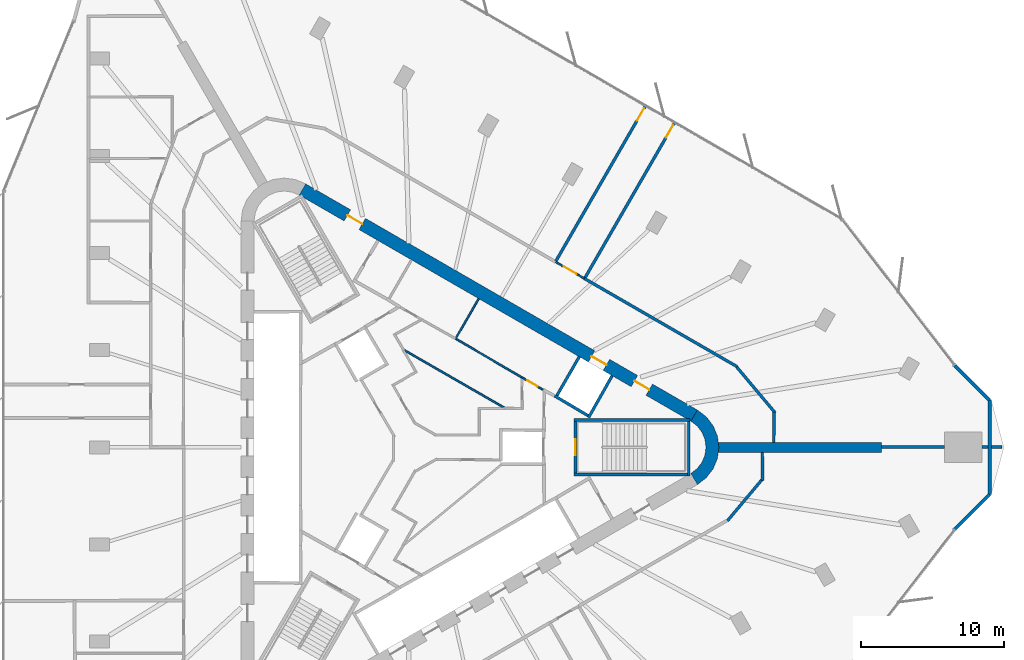
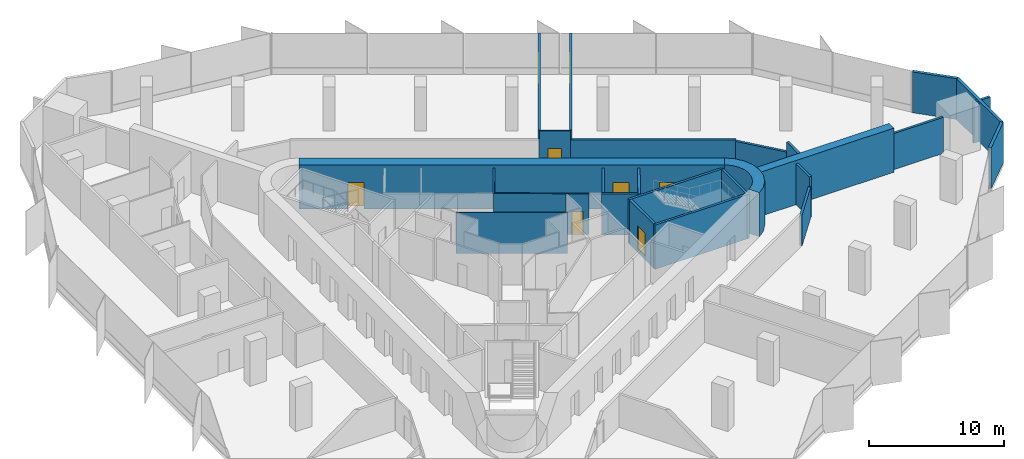
# One storey, part 12 of 14: 28 walls, 8 doors, 8 openings.
"""IFC4 building model written with IfcOpenShell, lengths in metres."""

from ifc_helpers import new_model, si_unit, direction, frame, frame_2d, origin, place, context, subcontext, project, spatial, polyline, rectangle, outline, extrude, material, layer, layer_set, type_object, element, fill, save


model = new_model("IFC4")

# Units and contexts
model_context = context("Model", 3, precision=1e-05, world=origin(), true_north=direction((0.0, 1.0)))
body_context = subcontext(model_context, "Body", "Model", "MODEL_VIEW")
ifc_project = project(units=[si_unit("LENGTHUNIT", "METRE"), si_unit("AREAUNIT", "SQUARE_METRE"), si_unit("VOLUMEUNIT", "CUBIC_METRE"), si_unit("PLANEANGLEUNIT", "RADIAN"), si_unit("MASSUNIT", "GRAM", prefix="KILO")], contexts=[model_context])

# Site, building, storey
site_placement = place(None, origin())
site = spatial("IfcSite", under=ifc_project, at=site_placement, CompositionType="ELEMENT")
building_placement = place(site_placement, origin())
building = spatial("IfcBuilding", under=site, at=building_placement, Name="Tanit Gate Tower", CompositionType="ELEMENT")
storey_placement = place(building_placement, frame((0.0, 0.0, 237.199951171875)))
storey = spatial("IfcBuildingStorey", under=building, at=storey_placement, Name="L53", CompositionType="ELEMENT", Elevation=237.199951171875)

# Wall
ifc_material_1 = material(Name="Concrete C50/60", Category="concrete")
ifc_layer_1 = layer(ifc_material_1, 0.699951171875)
ifc_layer_set_1 = layer_set([ifc_layer_1], Name="BUTTRESS FIN 700 C50/60")
wall_type_1 = type_object("IfcWallType", Name="BUTTRESS FIN 700 C50/60", PredefinedType="SHEAR", material=ifc_layer_set_1)
wall_1_placement = place(storey_placement, frame((21.14990234375, 0.0, 0.0), z_axis=(0.0, 0.0, 1.0), x_axis=(1.0, 0.0, 0.0)))
element("IfcWall", 1, at=wall_1_placement, inside=storey, type_object=wall_type_1, Name="BUTTRESS FIN", PredefinedType="SHEAR", context=body_context, shape_type="SweptSolid", body=[
    extrude(rectangle(XDim=11.3681640625, YDim=0.699951171875, at=frame_2d((5.68408203125, 0.0))), origin(), (0.0, 0.0, 1.0), 4.0),
])

# Wall, openings, doors
ifc_material_2 = material(Name="Concrete C50/60", Category="concrete")
ifc_layer_2 = layer(ifc_material_2, 0.89990234375)
ifc_layer_set_2 = layer_set([ifc_layer_2], Name="CORE WALL 900 C50/60")
wall_type_2 = type_object("IfcWallType", Name="CORE WALL 900 C50/60", PredefinedType="SHEAR", material=ifc_layer_set_2)
wall_2_placement = place(storey_placement, frame((19.47509765625, 2.20849609375, 0.0), z_axis=(0.0, 0.0, 1.0), x_axis=(-0.866028369851, 0.499994862586, 0.0)))
wall_2 = element("IfcWall", 2, at=wall_2_placement, inside=storey, type_object=wall_type_2, Name="CORE WALL", PredefinedType="SHEAR", context=body_context, shape_type="SweptSolid", body=[
    extrude(rectangle(XDim=31.523193359375, YDim=0.89990234375, at=frame_2d((15.76171875, 0.0))), origin(), (0.0, 0.0, 1.0), 4.0),
])
opening_1_placement = place(wall_2_placement, frame((7.0615234375, 0.0, 0.0)))
opening_1 = element("IfcOpeningElement", 3, at=opening_1_placement, cuts=wall_2, Name="Opening LDML8-S14", PredefinedType="OPENING", context=body_context, shape_type="SweptSolid", body=[
    extrude(rectangle(XDim=1.199951171875, YDim=2.39990234375, at=frame_2d((0.60009765625, 1.199951171875))), frame((0.0, 0.4599609375, 0.0), z_axis=(0.0, -1.0, 0.0), x_axis=(1.0, 0.0, 0.0)), (0.0, 0.0, 1.0), 0.919921875),
])
opening_2_placement = place(wall_2_placement, frame((3.611572265625, 0.0, 0.0)))
opening_2 = element("IfcOpeningElement", 4, at=opening_2_placement, cuts=wall_2, Name="Opening F12-S14-FL1", PredefinedType="OPENING", context=body_context, shape_type="SweptSolid", body=[
    extrude(rectangle(XDim=1.199951171875, YDim=2.39990234375, at=frame_2d((0.60009765625, 1.199951171875))), frame((0.0, 0.4599609375, 0.0), z_axis=(0.0, -1.0, 0.0), x_axis=(1.0, 0.0, 0.0)), (0.0, 0.0, 1.0), 0.919921875),
])
opening_3_placement = place(wall_2_placement, frame((26.711669921875, 0.0, 0.0)))
opening_3 = element("IfcOpeningElement", 5, at=opening_3_placement, cuts=wall_2, Name="Opening F12-S14-S2", PredefinedType="OPENING", context=body_context, shape_type="SweptSolid", body=[
    extrude(rectangle(XDim=1.199951171875, YDim=2.39990234375, at=frame_2d((0.60009765625, 1.199951171875))), frame((0.0, 0.4599609375, 0.0), z_axis=(0.0, -1.0, 0.0), x_axis=(1.0, 0.0, 0.0)), (0.0, 0.0, 1.0), 0.919921875),
])
ifc_material_3 = material(Name="Fire-rated steel door leaf", Category="steel")
door_type_1 = type_object("IfcDoorType", Name="INT-DOOR-FIRE-LOBBY-1200", OperationType="NOTDEFINED", PredefinedType="USERDEFINED", material=ifc_material_3)
door_1_placement = place(opening_2_placement, origin())
door_1 = element("IfcDoor", 6, at=door_1_placement, inside=storey, type_object=door_type_1, Name="Door F12-S14-FL1", ObjectType="FIRE DOOR", OperationType="SINGLE_SWING_RIGHT", OverallHeight=2.39990234375, OverallWidth=1.199951171875, PredefinedType="USERDEFINED", context=body_context, shape_type="SweptSolid", body=[
    extrude(rectangle(XDim=1.199951171875, YDim=2.39990234375, at=frame_2d((0.60009765625, 1.199951171875))), frame((0.0, 0.02490234375, 0.0), z_axis=(0.0, -1.0, 0.0), x_axis=(1.0, 0.0, 0.0)), (0.0, 0.0, 1.0), 0.050048828125),
])
fill(opening_2, door_1)
door_2_placement = place(opening_3_placement, origin())
door_2 = element("IfcDoor", 7, at=door_2_placement, inside=storey, type_object=door_type_1, Name="Door F12-S14-S2", ObjectType="FIRE DOOR", OperationType="SINGLE_SWING_LEFT", OverallHeight=2.39990234375, OverallWidth=1.199951171875, PredefinedType="USERDEFINED", context=body_context, shape_type="SweptSolid", body=[
    extrude(rectangle(XDim=1.199951171875, YDim=2.39990234375, at=frame_2d((0.60009765625, 1.199951171875))), frame((0.0, 0.02490234375, 0.0), z_axis=(0.0, -1.0, 0.0), x_axis=(1.0, 0.0, 0.0)), (0.0, 0.0, 1.0), 0.050048828125),
])
fill(opening_3, door_2)
ifc_material_4 = material(Name="Stainless steel sliding door leaf", Category="steel")
door_type_2 = type_object("IfcDoorType", Name="INT-DOOR-LANDING-1200", OperationType="NOTDEFINED", PredefinedType="USERDEFINED", material=ifc_material_4)
door_3_placement = place(opening_1_placement, origin())
door_3 = element("IfcDoor", 8, at=door_3_placement, inside=storey, type_object=door_type_2, Name="Door LDML8-S14", ObjectType="LANDING DOOR", OperationType="SLIDING_TO_LEFT", OverallHeight=2.39990234375, OverallWidth=1.199951171875, PredefinedType="USERDEFINED", context=body_context, shape_type="SweptSolid", body=[
    extrude(rectangle(XDim=1.199951171875, YDim=2.39990234375, at=frame_2d((0.60009765625, 1.199951171875))), frame((0.0, 0.02490234375, 0.0), z_axis=(0.0, -1.0, 0.0), x_axis=(1.0, 0.0, 0.0)), (0.0, 0.0, 1.0), 0.050048828125),
])
fill(opening_1, door_3)

# Walls
wall_3_placement = place(storey_placement, origin())
element("IfcWall", 9, at=wall_3_placement, inside=storey, type_object=wall_type_2, Name="CORE WALL CORNER", PredefinedType="SHEAR", context=body_context, shape_type="SweptSolid", body=[
    extrude(outline(polyline([(19.699951171875, -2.59814453125), (20.3212890625, -2.121337890625), (20.798095703125, -1.5), (21.097900390625, -0.776611328125), (21.199951171875, 0.0), (21.097900390625, 0.776611328125), (20.798095703125, 1.5), (20.3212890625, 2.121337890625), (19.699951171875, 2.59814453125), (19.25, 1.818603515625), (19.684814453125, 1.48486328125), (20.018798828125, 1.050048828125), (20.228515625, 0.54345703125), (20.300048828125, 0.0), (20.228515625, -0.54345703125), (20.018798828125, -1.050048828125), (19.684814453125, -1.48486328125), (19.25, -1.818603515625), (19.699951171875, -2.59814453125)])), origin(), (0.0, 0.0, 1.0), 4.0),
])
ifc_material_5 = material(Name="Concrete C30/37 with bronze anodised aluminium cladding", Category="concrete")
ifc_layer_3 = layer(ifc_material_5, 0.239990234375)
ifc_layer_set_3 = layer_set([ifc_layer_3], Name="Facade wall bronze clad 240")
wall_type_3 = type_object("IfcWallType", Name="Facade wall bronze clad 240", PredefinedType="SOLIDWALL", material=ifc_layer_set_3)
wall_4_placement = place(storey_placement, frame((37.635009765625, -5.713134765625, 0.0), z_axis=(0.0, 0.0, 1.0), x_axis=(0.707106781187, 0.707106781187, 0.0)))
element("IfcWall", 10, at=wall_4_placement, inside=storey, type_object=wall_type_3, Name="Bronze-clad facade wall L53 E.arc1", PredefinedType="SOLIDWALL", context=body_context, shape_type="SweptSolid", body=[
    extrude(rectangle(XDim=3.437744140625, YDim=0.239990234375, at=frame_2d((1.71875, 0.0))), origin(), (0.0, 0.0, 1.0), 3.699951171875),
])
wall_5_placement = place(storey_placement, frame((40.06591796875, -3.2822265625, 0.0), z_axis=(0.0, 0.0, 1.0), x_axis=(0.0, 1.0, 0.0)))
element("IfcWall", 11, at=wall_5_placement, inside=storey, type_object=wall_type_3, Name="Bronze-clad facade wall L53 E.arc2", PredefinedType="SOLIDWALL", context=body_context, shape_type="SweptSolid", body=[
    extrude(rectangle(XDim=6.564453125, YDim=0.239990234375, at=frame_2d((3.2822265625, 0.0))), origin(), (0.0, 0.0, 1.0), 3.699951171875),
])
wall_6_placement = place(storey_placement, frame((40.06591796875, 3.2822265625, 0.0), z_axis=(0.0, 0.0, 1.0), x_axis=(-0.707106781187, 0.707106781187, 0.0)))
element("IfcWall", 12, at=wall_6_placement, inside=storey, type_object=wall_type_3, Name="Bronze-clad facade wall L53 E.arc3", PredefinedType="SOLIDWALL", context=body_context, shape_type="SweptSolid", body=[
    extrude(rectangle(XDim=3.437744140625, YDim=0.239990234375, at=frame_2d((1.71875, 0.0))), origin(), (0.0, 0.0, 1.0), 3.699951171875),
])
ifc_material_6 = material(Name="Fire-rated gypsum board partition")
ifc_layer_4 = layer(ifc_material_6, 0.199951171875)
ifc_layer_set_4 = layer_set([ifc_layer_4], Name="INT-WALL-COMPARTMENT")
wall_type_4 = type_object("IfcWallType", Name="INT-WALL-COMPARTMENT", PredefinedType="PARTITIONING", material=ifc_layer_set_4)
wall_7_placement = place(storey_placement, frame((22.466064453125, 5.619873046875, 0.0), z_axis=(0.0, 0.0, 1.0), x_axis=(-0.866024234898, 0.500002024564, 0.0)))
element("IfcWall", 13, at=wall_7_placement, inside=storey, type_object=wall_type_4, Name="Wall Compartment W112", PredefinedType="PARTITIONING", context=body_context, shape_type="SweptSolid", body=[
    extrude(rectangle(XDim=12.29638671875, YDim=0.199951171875, at=frame_2d((6.148193359375, 0.0))), origin(), (0.0, 0.0, 1.0), 2.880126953125),
])
wall_8_placement = place(storey_placement, frame((25.12109375, 2.40283203125, 0.0), z_axis=(0.0, 0.0, 1.0), x_axis=(-0.642809831665, 0.766025796116, 0.0)))
element("IfcWall", 14, at=wall_8_placement, inside=storey, type_object=wall_type_4, Name="Wall Compartment W113", PredefinedType="PARTITIONING", context=body_context, shape_type="SweptSolid", body=[
    extrude(rectangle(XDim=4.164794921875, YDim=0.199951171875, at=frame_2d((2.08251953125, 0.0))), origin(), (0.0, 0.0, 1.0), 2.780029296875),
])
wall_9_placement = place(storey_placement, frame((25.0205078125, 0.35009765625, 0.0), z_axis=(0.0, 0.0, 1.0), x_axis=(0.012014998271, 0.999927817303, 0.0)))
element("IfcWall", 15, at=wall_9_placement, inside=storey, type_object=wall_type_4, Name="Wall Compartment W114", PredefinedType="PARTITIONING", context=body_context, shape_type="SweptSolid", body=[
    extrude(rectangle(XDim=2.093017578125, YDim=0.199951171875, at=frame_2d((1.04638671875, 0.0))), origin(), (0.0, 0.0, 1.0), 3.699951171875),
])
wall_10_placement = place(storey_placement, frame((24.247802734375, -2.316650390625, 0.0), z_axis=(0.0, 0.0, 1.0), x_axis=(-0.013654841032, 0.999906768312, 0.0)))
element("IfcWall", 16, at=wall_10_placement, inside=storey, type_object=wall_type_4, Name="Wall Compartment W116", PredefinedType="PARTITIONING", context=body_context, shape_type="SweptSolid", body=[
    extrude(rectangle(XDim=1.966796875, YDim=0.199951171875, at=frame_2d((0.9833984375, 0.0))), origin(), (0.0, 0.0, 1.0), 3.699951171875),
])
wall_11_placement = place(storey_placement, frame((21.79296875, -5.124267578125, 0.0), z_axis=(0.0, 0.0, 1.0), x_axis=(0.642787733653, 0.766044339098, 0.0)))
element("IfcWall", 17, at=wall_11_placement, inside=storey, type_object=wall_type_4, Name="Wall Compartment W117", PredefinedType="PARTITIONING", context=body_context, shape_type="SweptSolid", body=[
    extrude(rectangle(XDim=3.767333984375, YDim=0.199951171875, at=frame_2d((1.8837890625, 0.0))), origin(), (0.0, 0.0, 1.0), 2.780029296875),
])

# Wall, opening, door
wall_12_placement = place(storey_placement, frame((16.085693359375, 23.80126953125, 0.0), z_axis=(0.0, 0.0, 1.0), x_axis=(-0.499993063803, -0.866029408363, 0.0)))
wall_12 = element("IfcWall", 18, at=wall_12_placement, inside=storey, type_object=wall_type_4, Name="Wall Compartment W145", PredefinedType="PARTITIONING", context=body_context, shape_type="SweptSolid", body=[
    extrude(rectangle(XDim=12.495361328125, YDim=0.199951171875, at=frame_2d((6.24755859375, 0.0))), origin(), (0.0, 0.0, 1.0), 3.699951171875),
])
opening_4_placement = place(wall_12_placement, frame((0.199951171875, 0.0, 0.0)))
opening_4 = element("IfcOpeningElement", 19, at=opening_4_placement, cuts=wall_12, Name="Opening F10-S14-34", PredefinedType="OPENING", context=body_context, shape_type="SweptSolid", body=[
    extrude(rectangle(XDim=1.0, YDim=2.10009765625, at=frame_2d((0.5, 1.050048828125))), frame((0.0, 0.10986328125, 0.0), z_axis=(0.0, -1.0, 0.0), x_axis=(1.0, 0.0, 0.0)), (0.0, 0.0, 1.0), 0.219970703125),
])
ifc_material_7 = material(Name="Fire-rated steel door leaf", Category="steel")
door_type_3 = type_object("IfcDoorType", Name="INT-DOOR-FIRE-1000", OperationType="NOTDEFINED", PredefinedType="USERDEFINED", material=ifc_material_7)
door_4_placement = place(opening_4_placement, origin())
door_4 = element("IfcDoor", 20, at=door_4_placement, inside=storey, type_object=door_type_3, Name="Door F10-S14-34", ObjectType="FIRE DOOR", OperationType="SINGLE_SWING_LEFT", OverallHeight=2.10009765625, OverallWidth=1.0, PredefinedType="USERDEFINED", context=body_context, shape_type="SweptSolid", body=[
    extrude(rectangle(XDim=1.0, YDim=2.10009765625, at=frame_2d((0.5, 1.050048828125))), frame((0.0, 0.02490234375, 0.0), z_axis=(0.0, -1.0, 0.0), x_axis=(1.0, 0.0, 0.0)), (0.0, 0.0, 1.0), 0.050048828125),
])
fill(opening_4, door_4)

wall_13_placement = place(storey_placement, frame((11.864501953125, 11.81005859375, 0.0), z_axis=(0.0, 0.0, 1.0), x_axis=(0.500007717682, 0.866020947933, 0.0)))
wall_13 = element("IfcWall", 21, at=wall_13_placement, inside=storey, type_object=wall_type_4, Name="Wall Compartment W146", PredefinedType="PARTITIONING", context=body_context, shape_type="SweptSolid", body=[
    extrude(rectangle(XDim=12.495361328125, YDim=0.199951171875, at=frame_2d((6.24755859375, 0.0))), origin(), (0.0, 0.0, 1.0), 3.699951171875),
])
opening_5_placement = place(wall_13_placement, frame((11.29541015625, 0.0, 0.0)))
opening_5 = element("IfcOpeningElement", 22, at=opening_5_placement, cuts=wall_13, Name="Opening F10-S14-35", PredefinedType="OPENING", context=body_context, shape_type="SweptSolid", body=[
    extrude(rectangle(XDim=1.0, YDim=2.10009765625, at=frame_2d((0.5, 1.050048828125))), frame((0.0, 0.10986328125, 0.0), z_axis=(0.0, -1.0, 0.0), x_axis=(1.0, 0.0, 0.0)), (0.0, 0.0, 1.0), 0.219970703125),
])
door_5_placement = place(opening_5_placement, origin())
door_5 = element("IfcDoor", 23, at=door_5_placement, inside=storey, type_object=door_type_3, Name="Door F10-S14-35", ObjectType="FIRE DOOR", OperationType="SINGLE_SWING_LEFT", OverallHeight=2.10009765625, OverallWidth=1.0, PredefinedType="USERDEFINED", context=body_context, shape_type="SweptSolid", body=[
    extrude(rectangle(XDim=1.0, YDim=2.10009765625, at=frame_2d((0.5, 1.050048828125))), frame((0.0, 0.02490234375, 0.0), z_axis=(0.0, -1.0, 0.0), x_axis=(1.0, 0.0, 0.0)), (0.0, 0.0, 1.0), 0.050048828125),
])
fill(opening_5, door_5)

# Walls
wall_14_placement = place(storey_placement, frame((40.937255859375, 0.030029296875, 0.0), z_axis=(0.0, 0.0, 1.0), x_axis=(-1.0, 0.0, 0.0)))
element("IfcWall", 24, at=wall_14_placement, inside=storey, type_object=wall_type_4, Name="Wall Compartment W149", PredefinedType="PARTITIONING", context=body_context, shape_type="SweptSolid", body=[
    extrude(rectangle(XDim=0.75146484375, YDim=0.199951171875, at=frame_2d((0.375732421875, 0.0))), origin(), (0.0, 0.0, 1.0), 3.699951171875),
])
wall_15_placement = place(storey_placement, frame((39.94580078125, 0.030029296875, 0.0), z_axis=(0.0, 0.0, 1.0), x_axis=(-1.0, 0.0, 0.0)))
element("IfcWall", 25, at=wall_15_placement, inside=storey, type_object=wall_type_4, Name="Wall Compartment W149x1", PredefinedType="PARTITIONING", context=body_context, shape_type="SweptSolid", body=[
    extrude(rectangle(XDim=0.42626953125, YDim=0.199951171875, at=frame_2d((0.213134765625, 0.0))), origin(), (0.0, 0.0, 1.0), 3.699951171875),
])
wall_16_placement = place(storey_placement, frame((36.919677734375, 0.030029296875, 0.0), z_axis=(0.0, 0.0, 1.0), x_axis=(-1.0, 0.0, 0.0)))
element("IfcWall", 26, at=wall_16_placement, inside=storey, type_object=wall_type_4, Name="Wall Compartment W148", PredefinedType="PARTITIONING", context=body_context, shape_type="SweptSolid", body=[
    extrude(rectangle(XDim=4.401611328125, YDim=0.199951171875, at=frame_2d((2.20068359375, 0.0))), origin(), (0.0, 0.0, 1.0), 3.27001953125),
])
ifc_material_8 = material(Name="Gypsum board partition")
ifc_layer_5 = layer(ifc_material_8, 0.1201171875)
ifc_layer_set_5 = layer_set([ifc_layer_5], Name="INT-WALL-PARTITION")
wall_type_5 = type_object("IfcWallType", Name="INT-WALL-PARTITION", PredefinedType="PARTITIONING", material=ifc_layer_set_5)
wall_17_placement = place(storey_placement, frame((4.456787109375, 10.359375, 0.0), z_axis=(0.0, 0.0, 1.0), x_axis=(-0.500017246033, -0.866015446554, 0.0)))
element("IfcWall", 27, at=wall_17_placement, inside=storey, type_object=wall_type_5, Name="Wall Partition W049", PredefinedType="PARTITIONING", context=body_context, shape_type="SweptSolid", body=[
    extrude(rectangle(XDim=3.25, YDim=0.1201171875, at=frame_2d((1.625, 0.0))), origin(), (0.0, 0.0, 1.0), 3.699951171875),
])
wall_18_placement = place(storey_placement, frame((2.82080078125, 7.5859375, 0.0), z_axis=(0.0, 0.0, 1.0), x_axis=(0.863262357411, -0.504755487615, 0.0)))
element("IfcWall", 28, at=wall_18_placement, inside=storey, type_object=wall_type_5, Name="Wall Partition W051", PredefinedType="PARTITIONING", context=body_context, shape_type="SweptSolid", body=[
    extrude(rectangle(XDim=5.370361328125, YDim=0.1201171875, at=frame_2d((2.68505859375, 0.0))), origin(), (0.0, 0.0, 1.0), 3.699951171875),
])

# Wall, opening, door
wall_19_placement = place(storey_placement, frame((7.45654296875, 4.874755859375, 0.0), z_axis=(0.0, 0.0, 1.0), x_axis=(0.866027945518, -0.499995597562, 0.0)))
wall_19 = element("IfcWall", 29, at=wall_19_placement, inside=storey, type_object=wall_type_5, Name="Wall Partition W052", PredefinedType="PARTITIONING", context=body_context, shape_type="SweptSolid", body=[
    extrude(rectangle(XDim=1.7021484375, YDim=0.1201171875, at=frame_2d((0.85107421875, 0.0))), origin(), (0.0, 0.0, 1.0), 3.699951171875),
])
opening_6_placement = place(wall_19_placement, frame((0.461181640625, 0.0, 0.0)))
opening_6 = element("IfcOpeningElement", 30, at=opening_6_placement, cuts=wall_19, Name="Opening R08-S14-15", PredefinedType="OPENING", context=body_context, shape_type="SweptSolid", body=[
    extrude(rectangle(XDim=0.800048828125, YDim=2.10009765625, at=frame_2d((0.39990234375, 1.050048828125))), frame((0.0, 0.070068359375, 0.0), z_axis=(0.0, -1.0, 0.0), x_axis=(1.0, 0.0, 0.0)), (0.0, 0.0, 1.0), 0.14013671875),
])
ifc_material_9 = material(Name="Timber door leaf", Category="wood")
door_type_4 = type_object("IfcDoorType", Name="INT-DOOR-RISER-800", OperationType="NOTDEFINED", PredefinedType="USERDEFINED", material=ifc_material_9)
door_6_placement = place(opening_6_placement, origin())
door_6 = element("IfcDoor", 31, at=door_6_placement, inside=storey, type_object=door_type_4, Name="Door R08-S14-15", ObjectType="FIRE DOOR", OperationType="SINGLE_SWING_RIGHT", OverallHeight=2.10009765625, OverallWidth=0.800048828125, PredefinedType="USERDEFINED", context=body_context, shape_type="SweptSolid", body=[
    extrude(rectangle(XDim=0.800048828125, YDim=2.10009765625, at=frame_2d((0.39990234375, 1.050048828125))), frame((0.0, 0.02490234375, 0.0), z_axis=(0.0, -1.0, 0.0), x_axis=(1.0, 0.0, 0.0)), (0.0, 0.0, 1.0), 0.050048828125),
])
fill(opening_6, door_6)

# Wall
wall_20_placement = place(storey_placement, frame((-0.826904296875, 6.832275390625, 0.0), z_axis=(0.0, 0.0, 1.0), x_axis=(0.866020293397, -0.500008851346, 0.0)))
element("IfcWall", 32, at=wall_20_placement, inside=storey, type_object=wall_type_5, Name="Wall Partition W078", PredefinedType="PARTITIONING", context=body_context, shape_type="SweptSolid", body=[
    extrude(rectangle(XDim=8.264404296875, YDim=0.1201171875, at=frame_2d((4.13232421875, 0.0))), origin(), (0.0, 0.0, 1.0), 3.699951171875),
])

# Wall, opening, door
wall_21_placement = place(storey_placement, frame((11.817138671875, 11.76806640625, 0.0), z_axis=(0.0, 0.0, 1.0), x_axis=(-0.86602648383, 0.499998129301, 0.0)))
wall_21 = element("IfcWall", 33, at=wall_21_placement, inside=storey, type_object=wall_type_5, Name="Wall Partition W108", PredefinedType="PARTITIONING", context=body_context, shape_type="SweptSolid", body=[
    extrude(rectangle(XDim=2.2998046875, YDim=0.1201171875, at=frame_2d((1.14990234375, 0.0))), origin(), (0.0, 0.0, 1.0), 3.699951171875),
])
opening_7_placement = place(wall_21_placement, frame((0.64990234375, 0.0, 0.0)))
opening_7 = element("IfcOpeningElement", 34, at=opening_7_placement, cuts=wall_21, Name="Opening D10-S14-21", PredefinedType="OPENING", context=body_context, shape_type="SweptSolid", body=[
    extrude(rectangle(XDim=1.0, YDim=2.10009765625, at=frame_2d((0.5, 1.050048828125))), frame((0.0, 0.070068359375, 0.0), z_axis=(0.0, -1.0, 0.0), x_axis=(1.0, 0.0, 0.0)), (0.0, 0.0, 1.0), 0.14013671875),
])
ifc_material_10 = material(Name="Timber door leaf", Category="wood")
door_type_5 = type_object("IfcDoorType", Name="INT-DOOR-SINGLE-1000", OperationType="NOTDEFINED", PredefinedType="NOTDEFINED", material=ifc_material_10)
door_7_placement = place(opening_7_placement, origin())
door_7 = element("IfcDoor", 35, at=door_7_placement, inside=storey, type_object=door_type_5, Name="Door D10-S14-21", OperationType="SINGLE_SWING_LEFT", OverallHeight=2.10009765625, OverallWidth=1.0, PredefinedType="NOTDEFINED", context=body_context, shape_type="SweptSolid", body=[
    extrude(rectangle(XDim=1.0, YDim=2.10009765625, at=frame_2d((0.5, 1.050048828125))), frame((0.0, 0.02490234375, 0.0), z_axis=(0.0, -1.0, 0.0), x_axis=(1.0, 0.0, 0.0)), (0.0, 0.0, 1.0), 0.050048828125),
])
fill(opening_7, door_7)

# Walls
ifc_material_11 = material(Name="Gypsum shaft wall system")
ifc_layer_6 = layer(ifc_material_11, 0.199951171875)
ifc_layer_set_6 = layer_set([ifc_layer_6], Name="INT-WALL-SHAFT")
wall_type_6 = type_object("IfcWallType", Name="INT-WALL-SHAFT", PredefinedType="PLUMBINGWALL", material=ifc_layer_set_6)
wall_22_placement = place(storey_placement, frame((9.8466796875, 3.494873046875, 0.0), z_axis=(0.0, 0.0, 1.0), x_axis=(0.499984717929, 0.866034226713, 0.0)))
element("IfcWall", 36, at=wall_22_placement, inside=storey, type_object=wall_type_6, Name="Wall Shaft W012", PredefinedType="PLUMBINGWALL", context=body_context, shape_type="SweptSolid", body=[
    extrude(rectangle(XDim=3.25, YDim=0.199951171875, at=frame_2d((1.625, 0.0))), origin(), (0.0, 0.0, 1.0), 3.699951171875),
])
wall_23_placement = place(storey_placement, frame((12.10986328125, 2.07275390625, 0.0), z_axis=(0.0, 0.0, 1.0), x_axis=(0.49196600604, 0.870614408852, 0.0)))
element("IfcWall", 37, at=wall_23_placement, inside=storey, type_object=wall_type_6, Name="Wall Shaft W013", PredefinedType="PLUMBINGWALL", context=body_context, shape_type="SweptSolid", body=[
    extrude(rectangle(XDim=3.35009765625, YDim=0.199951171875, at=frame_2d((1.675048828125, 0.0))), origin(), (0.0, 0.0, 1.0), 3.699951171875),
])
wall_24_placement = place(storey_placement, frame((12.072998046875, 2.2109375, 0.0), z_axis=(0.0, 0.0, 1.0), x_axis=(-0.860414880418, 0.509594185166, 0.0)))
element("IfcWall", 38, at=wall_24_placement, inside=storey, type_object=wall_type_6, Name="Wall Shaft W014", PredefinedType="PLUMBINGWALL", context=body_context, shape_type="SweptSolid", body=[
    extrude(rectangle(XDim=2.7001953125, YDim=0.199951171875, at=frame_2d((1.35009765625, 0.0))), origin(), (0.0, 0.0, 1.0), 3.699951171875),
])
ifc_material_12 = material(Name="Concrete C40/50", Category="concrete")
ifc_layer_7 = layer(ifc_material_12, 0.199951171875)
ifc_layer_set_7 = layer_set([ifc_layer_7], Name="INT-WALL-STAIR")
wall_type_7 = type_object("IfcWallType", Name="INT-WALL-STAIR", PredefinedType="SHEAR", material=ifc_layer_set_7)
wall_25_placement = place(storey_placement, frame((19.199951171875, 1.89990234375, -0.300048828125), z_axis=(0.0, 0.0, 1.0), x_axis=(-1.0, 0.0, 0.0)))
element("IfcWall", 39, at=wall_25_placement, inside=storey, type_object=wall_type_7, Name="Wall Stair W025", PredefinedType="SHEAR", context=body_context, shape_type="SweptSolid", body=[
    extrude(rectangle(XDim=8.099853515625, YDim=0.199951171875, at=frame_2d((4.0498046875, 0.0))), origin(), (0.0, 0.0, 1.0), 4.0),
])
wall_26_placement = place(storey_placement, frame((19.10009765625, -2.0, -0.300048828125), z_axis=(0.0, 0.0, 1.0), x_axis=(0.0, 1.0, 0.0)))
element("IfcWall", 40, at=wall_26_placement, inside=storey, type_object=wall_type_7, Name="Wall Stair W026", PredefinedType="SHEAR", context=body_context, shape_type="SweptSolid", body=[
    extrude(rectangle(XDim=3.800048828125, YDim=0.199951171875, at=frame_2d((1.89990234375, 0.0))), origin(), (0.0, 0.0, 1.0), 4.0),
])
wall_27_placement = place(storey_placement, frame((11.10009765625, -1.89990234375, -0.300048828125), z_axis=(0.0, 0.0, 1.0), x_axis=(1.0, 0.0, 0.0)))
element("IfcWall", 41, at=wall_27_placement, inside=storey, type_object=wall_type_7, Name="Wall Stair W027", PredefinedType="SHEAR", context=body_context, shape_type="SweptSolid", body=[
    extrude(rectangle(XDim=7.89990234375, YDim=0.199951171875, at=frame_2d((3.949951171875, 0.0))), origin(), (0.0, 0.0, 1.0), 4.0),
])

# Wall, opening, door
wall_28_placement = place(storey_placement, frame((11.199951171875, -1.800048828125, -0.300048828125), z_axis=(0.0, 0.0, 1.0), x_axis=(0.0, 1.0, 0.0)))
wall_28 = element("IfcWall", 42, at=wall_28_placement, inside=storey, type_object=wall_type_7, Name="Wall Stair W028", PredefinedType="SHEAR", context=body_context, shape_type="SweptSolid", body=[
    extrude(rectangle(XDim=3.60009765625, YDim=0.199951171875, at=frame_2d((1.800048828125, 0.0))), origin(), (0.0, 0.0, 1.0), 4.0),
])
opening_8_placement = place(wall_28_placement, frame((1.25, 0.0, 0.300048828125)))
opening_8 = element("IfcOpeningElement", 43, at=opening_8_placement, cuts=wall_28, Name="Opening S11-S14-01", PredefinedType="OPENING", context=body_context, shape_type="SweptSolid", body=[
    extrude(rectangle(XDim=1.10009765625, YDim=2.10009765625, at=frame_2d((0.550048828125, 1.050048828125))), frame((0.0, 0.10986328125, 0.0), z_axis=(0.0, -1.0, 0.0), x_axis=(1.0, 0.0, 0.0)), (0.0, 0.0, 1.0), 0.219970703125),
])
ifc_material_13 = material(Name="Timber door leaf", Category="wood")
door_type_6 = type_object("IfcDoorType", Name="INT-DOOR-STAIR-1100", OperationType="NOTDEFINED", PredefinedType="USERDEFINED", material=ifc_material_13)
door_8_placement = place(opening_8_placement, origin())
door_8 = element("IfcDoor", 44, at=door_8_placement, inside=storey, type_object=door_type_6, Name="Door S11-S14-01", ObjectType="FIRE DOOR", OperationType="SINGLE_SWING_LEFT", OverallHeight=2.10009765625, OverallWidth=1.10009765625, PredefinedType="USERDEFINED", context=body_context, shape_type="SweptSolid", body=[
    extrude(rectangle(XDim=1.10009765625, YDim=2.10009765625, at=frame_2d((0.550048828125, 1.050048828125))), frame((0.0, 0.02490234375, 0.0), z_axis=(0.0, -1.0, 0.0), x_axis=(1.0, 0.0, 0.0)), (0.0, 0.0, 1.0), 0.050048828125),
])
fill(opening_8, door_8)

save(model, "model.ifc")
